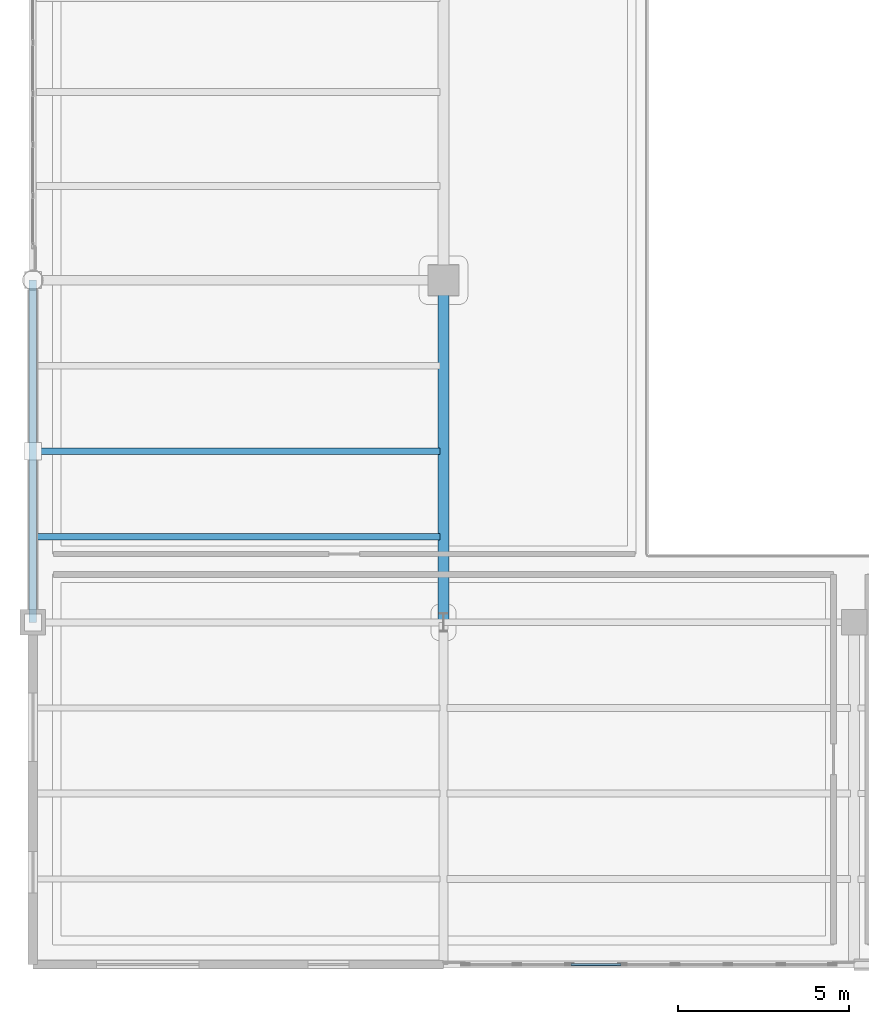
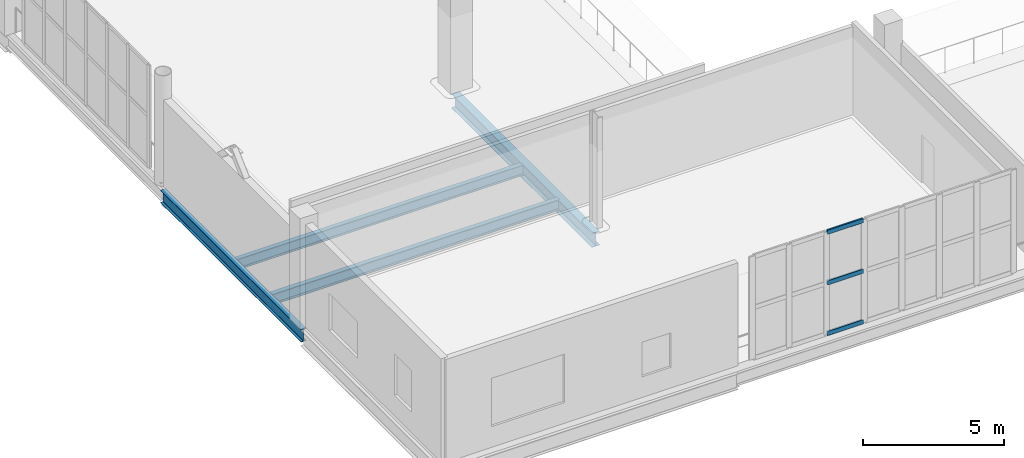
# One storey, part 18 of 136: 4 beams, 3 members, 1 element without a shape of its own.
"""IFC4 building model written with IfcOpenShell, lengths in metres."""

from ifc_helpers import new_model, si_unit, direction, frame, origin, origin_2d, place, context, subcontext, project, spatial, hollow_rectangle, i_section, extrude, material, layer, layer_set, material_profile, profile_set, type_object, element, aggregate, save


model = new_model("IFC4")

# Units and contexts
model_context = context("Model", 3, precision=1e-05, world=origin(), true_north=direction((0.0, 1.0)))
body_context = subcontext(model_context, "Body", "Model", "MODEL_VIEW")
ifc_project = project(units=[si_unit("LENGTHUNIT", "METRE"), si_unit("AREAUNIT", "SQUARE_METRE"), si_unit("VOLUMEUNIT", "CUBIC_METRE"), si_unit("PLANEANGLEUNIT", "RADIAN"), si_unit("MASSUNIT", "GRAM", prefix="KILO")], contexts=[model_context])

# Site, building, storey
site_placement = place(None, origin())
site = spatial("IfcSite", under=ifc_project, at=site_placement, CompositionType="ELEMENT")
building_placement = place(site_placement, origin())
building = spatial("IfcBuilding", under=site, at=building_placement, Name="Brinegate Civic Arena", CompositionType="ELEMENT")
storey_placement = place(building_placement, frame((0.0, 0.0, 5.39990234375)))
storey = spatial("IfcBuildingStorey", under=building, at=storey_placement, Name="L01", CompositionType="ELEMENT", Elevation=5.39990234375)

# Curtain wall, members
ifc_material_1 = material(Name="Marine grade aluminium", Category="aluminium")
ifc_layer = layer(ifc_material_1, 0.18505859375, Name="Marine grade aluminium")
ifc_layer_set = layer_set([ifc_layer], Name="Marine grade aluminium")
curtain_wall_type = type_object("IfcCurtainWallType", Name="CW-WING-GLAZED-03", PredefinedType="USERDEFINED", material=ifc_layer_set)
curtain_wall_placement = place(storey_placement, origin())
curtain_wall = element("IfcCurtainWall", 1, at=curtain_wall_placement, inside=storey, type_object=curtain_wall_type, Name="Curtain Wall CWA-014", ObjectType="GLAZED CURTAIN WALL", PredefinedType="USERDEFINED")
ifc_material_profile_1 = material_profile(ifc_material_1, hollow_rectangle(XDim=0.074951171875, YDim=0.18994140625, WallThickness=0.006103515625, InnerFilletRadius=0.00390625, OuterFilletRadius=0.008056640625, at=origin_2d()), Name="TRN75X190")
ifc_profile_set_1 = profile_set([ifc_material_profile_1], Name="Marine grade aluminium")
member_type = type_object("IfcMemberType", Name="CW-TRANSOM-75X190", PredefinedType="USERDEFINED", material=ifc_profile_set_1)
member_1_placement = place(storey_placement, frame((15.72314453125, 0.0, 0.03759765625), z_axis=(1.0, 0.0, 0.0), x_axis=(0.0, 1.0, 0.0)))
member_1 = element("IfcMember", 2, at=member_1_placement, type_object=member_type, Name="CWA-014 transom 3.1", ObjectType="TRANSOM", PredefinedType="USERDEFINED", context=body_context, shape_type="SweptSolid", body=[
    extrude(hollow_rectangle(XDim=0.074951171875, YDim=0.18994140625, WallThickness=0.006103515625, InnerFilletRadius=0.00390625, OuterFilletRadius=0.008056640625, at=origin_2d()), origin(), (0.0, 0.0, 1.0), 1.468017578125),
])
member_2_placement = place(storey_placement, frame((15.72314453125, 0.0, 2.235107421875), z_axis=(1.0, 0.0, 0.0), x_axis=(0.0, 1.0, 0.0)))
member_2 = element("IfcMember", 3, at=member_2_placement, type_object=member_type, Name="CWA-014 transom 3.2", ObjectType="TRANSOM", PredefinedType="USERDEFINED", context=body_context, shape_type="SweptSolid", body=[
    extrude(hollow_rectangle(XDim=0.074951171875, YDim=0.18994140625, WallThickness=0.006103515625, InnerFilletRadius=0.00390625, OuterFilletRadius=0.008056640625, at=origin_2d()), origin(), (0.0, 0.0, 1.0), 1.468017578125),
])
member_3_placement = place(storey_placement, frame((15.72314453125, 0.0, 4.4326171875), z_axis=(1.0, 0.0, 0.0), x_axis=(0.0, 1.0, 0.0)))
member_3 = element("IfcMember", 4, at=member_3_placement, type_object=member_type, Name="CWA-014 transom 3.3", ObjectType="TRANSOM", PredefinedType="USERDEFINED", context=body_context, shape_type="SweptSolid", body=[
    extrude(hollow_rectangle(XDim=0.074951171875, YDim=0.18994140625, WallThickness=0.006103515625, InnerFilletRadius=0.00390625, OuterFilletRadius=0.008056640625, at=origin_2d()), origin(), (0.0, 0.0, 1.0), 1.468017578125),
])
aggregate(curtain_wall, [member_1, member_2, member_3])

# Beams
ifc_material_2 = material(Name="Steel S355", Category="steel")
ifc_material_profile_2 = material_profile(ifc_material_2, i_section(OverallWidth=0.323974609375, OverallDepth=0.611083984375, WebThickness=0.012939453125, FlangeThickness=0.01904296875, FilletRadius=0.01611328125, at=origin_2d()), Name="W610X155")
ifc_profile_set_2 = profile_set([ifc_material_profile_2], Name="Steel S355")
beam_type_1 = type_object("IfcBeamType", Name="GIRDER-W610X155", PredefinedType="BEAM", material=ifc_profile_set_2)
beam_1_placement = place(storey_placement, frame((12.0, 10.0, -0.64501953125), z_axis=(0.0, 1.0, 0.0), x_axis=(-1.0, 0.0, 0.0)))
element("IfcBeam", 5, at=beam_1_placement, inside=storey, type_object=beam_type_1, Name="Floor Girder BM-L01-GY-01-01", PredefinedType="BEAM", context=body_context, shape_type="SweptSolid", body=[
    extrude(i_section(OverallWidth=0.323974609375, OverallDepth=0.611083984375, WebThickness=0.012939453125, FlangeThickness=0.01904296875, FilletRadius=0.01611328125, at=origin_2d()), origin(), (0.0, 0.0, 1.0), 10.0),
])
ifc_material_profile_3 = material_profile(ifc_material_2, i_section(OverallWidth=0.195068359375, OverallDepth=0.472900390625, WebThickness=0.011962890625, FlangeThickness=0.02197265625, FilletRadius=0.014892578125, at=origin_2d()), Name="W460X113")
ifc_profile_set_3 = profile_set([ifc_material_profile_3], Name="Steel S355")
beam_type_2 = type_object("IfcBeamType", Name="JOIST-W460X113", PredefinedType="JOIST", material=ifc_profile_set_3)
beam_2_placement = place(storey_placement, frame((0.10595703125, 12.5, -0.575927734375), z_axis=(1.0, 0.0, 0.0), x_axis=(0.0, 1.0, 0.0)))
element("IfcBeam", 6, at=beam_2_placement, inside=storey, type_object=beam_type_2, Name="Secondary Joist BM-L01-JX-00-01-1", PredefinedType="JOIST", context=body_context, shape_type="SweptSolid", body=[
    extrude(i_section(OverallWidth=0.195068359375, OverallDepth=0.472900390625, WebThickness=0.011962890625, FlangeThickness=0.02197265625, FilletRadius=0.014892578125, at=origin_2d()), origin(), (0.0, 0.0, 1.0), 11.7880859375),
])
ifc_material_profile_4 = material_profile(ifc_material_2, i_section(OverallWidth=0.19091796875, OverallDepth=0.4599609375, WebThickness=0.010009765625, FlangeThickness=0.01611328125, FilletRadius=0.014892578125, at=origin_2d()), Name="W460X82")
ifc_profile_set_4 = profile_set([ifc_material_profile_4], Name="Steel S355")
beam_type_3 = type_object("IfcBeamType", Name="JOIST-W460X82", PredefinedType="JOIST", material=ifc_profile_set_4)
beam_3_placement = place(storey_placement, frame((0.10595703125, 15.0, -0.56982421875), z_axis=(1.0, 0.0, 0.0), x_axis=(0.0, 1.0, 0.0)))
element("IfcBeam", 7, at=beam_3_placement, inside=storey, type_object=beam_type_3, Name="Secondary Joist BM-L01-JX-00-01-2", PredefinedType="JOIST", context=body_context, shape_type="SweptSolid", body=[
    extrude(i_section(OverallWidth=0.19091796875, OverallDepth=0.4599609375, WebThickness=0.010009765625, FlangeThickness=0.01611328125, FilletRadius=0.014892578125, at=origin_2d()), origin(), (0.0, 0.0, 1.0), 11.7880859375),
])
ifc_material_profile_5 = material_profile(ifc_material_2, i_section(OverallWidth=0.2119140625, OverallDepth=0.5439453125, WebThickness=0.012939453125, FlangeThickness=0.02099609375, FilletRadius=0.01611328125, at=origin_2d()), Name="W530X123")
ifc_profile_set_5 = profile_set([ifc_material_profile_5], Name="Steel S355")
beam_type_4 = type_object("IfcBeamType", Name="SPANDREL-W530X123", PredefinedType="SPANDREL", material=ifc_profile_set_5)
beam_4_placement = place(storey_placement, frame((0.0, 10.0, -0.61181640625), z_axis=(0.0, 1.0, 0.0), x_axis=(-1.0, 0.0, 0.0)))
element("IfcBeam", 8, at=beam_4_placement, inside=storey, type_object=beam_type_4, Name="Floor Girder BM-L01-GY-00-01", PredefinedType="SPANDREL", context=body_context, shape_type="SweptSolid", body=[
    extrude(i_section(OverallWidth=0.2119140625, OverallDepth=0.5439453125, WebThickness=0.012939453125, FlangeThickness=0.02099609375, FilletRadius=0.01611328125, at=origin_2d()), origin(), (0.0, 0.0, 1.0), 10.0),
])

save(model, "model.ifc")
